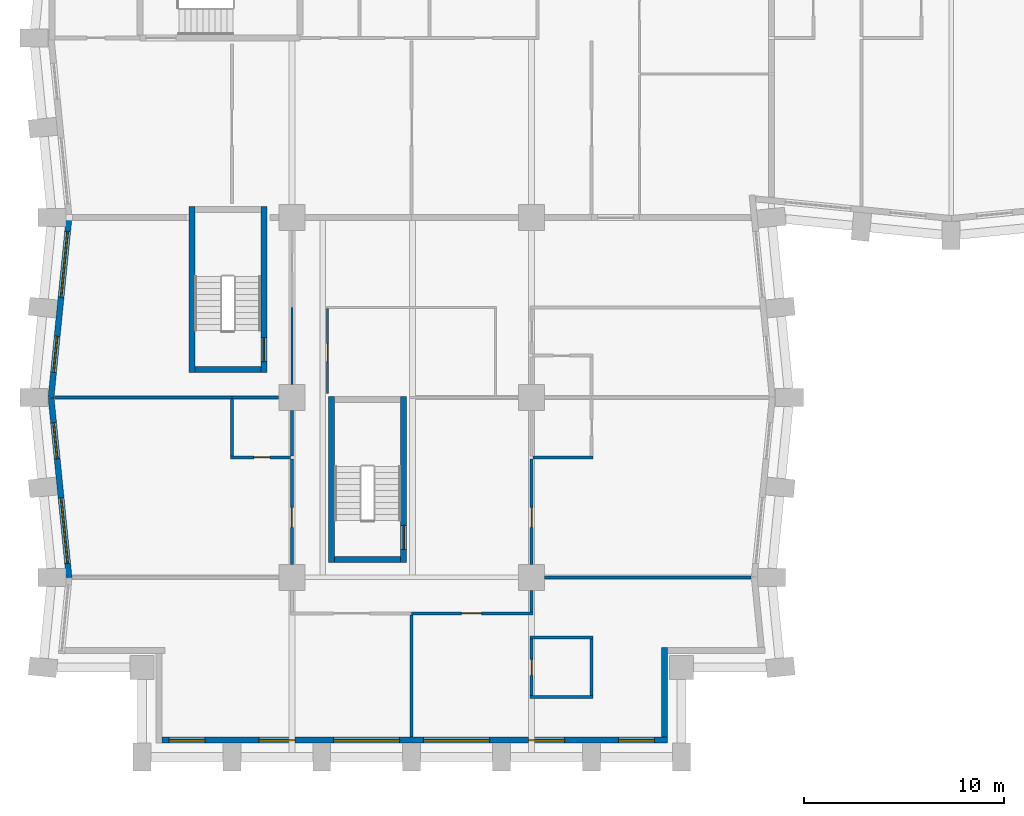
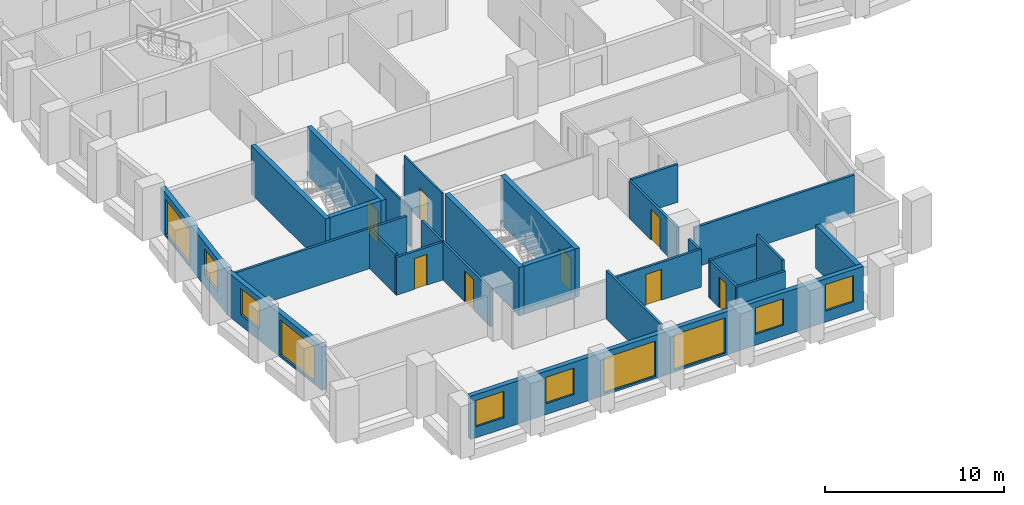
# One storey, part 3 of 12: 28 walls, 10 windows, 8 doors, 18 openings.
"""IFC4 building model written with IfcOpenShell, lengths in metres."""

from ifc_helpers import new_model, si_unit, direction, frame, frame_2d, origin, place, context, subcontext, project, spatial, rectangle, extrude, material, layer, layer_set, type_object, element, fill, save


model = new_model("IFC4")

# Units and contexts
model_context = context("Model", 3, precision=1e-05, world=origin(), true_north=direction((0.0, 1.0)))
body_context = subcontext(model_context, "Body", "Model", "MODEL_VIEW")
ifc_project = project(units=[si_unit("LENGTHUNIT", "METRE"), si_unit("AREAUNIT", "SQUARE_METRE"), si_unit("VOLUMEUNIT", "CUBIC_METRE"), si_unit("PLANEANGLEUNIT", "RADIAN"), si_unit("MASSUNIT", "GRAM", prefix="KILO")], contexts=[model_context])

# Site, building, storey
site_placement = place(None, origin())
site = spatial("IfcSite", under=ifc_project, at=site_placement, CompositionType="ELEMENT")
building_placement = place(site_placement, origin())
building = spatial("IfcBuilding", under=site, at=building_placement, Name="Brondeck Convention Tower", CompositionType="ELEMENT")
storey_placement = place(building_placement, frame((0.0, 0.0, 55.5)))
storey = spatial("IfcBuildingStorey", under=building, at=storey_placement, Name="L11", CompositionType="ELEMENT", Elevation=55.5)

# Wall, openings, windows
ifc_material_1 = material(Name="Precast concrete C50/60 bronze finish", Category="concrete")
ifc_layer_1 = layer(ifc_material_1, 0.070068359375, Name="Bronze precast facing")
ifc_material_2 = material(Name="Mineral wool")
ifc_layer_2 = layer(ifc_material_2, 0.159912109375, Name="Insulation")
ifc_material_3 = material(Name="Concrete C35/45", Category="concrete")
ifc_layer_3 = layer(ifc_material_3, 0.070068359375, Name="Backing")
ifc_layer_set_1 = layer_set([ifc_layer_1, ifc_layer_2, ifc_layer_3], Name="External infill wall, precast concrete C50/60 bronze facing")
wall_type_1 = type_object("IfcWallType", Name="External infill wall, precast concrete C50/60 bronze facing", PredefinedType="SOLIDWALL", material=ifc_layer_set_1)
wall_1_placement = place(storey_placement, frame((30.800048828125, 0.85009765625, 0.0), z_axis=(0.0, 0.0, 1.0), x_axis=(-1.0, 0.0, 0.0)))
wall_1 = element("IfcWall", 1, at=wall_1_placement, inside=storey, type_object=wall_type_1, Name="ENV-EW-L11-P0-B-S0-01", PredefinedType="SOLIDWALL", context=body_context, shape_type="SweptSolid", body=[
    extrude(rectangle(XDim=25.300048828125, YDim=0.300048828125, at=frame_2d((12.64990234375, 0.0))), origin(), (0.0, 0.0, 1.0), 2.949951171875),
])
opening_1_placement = place(wall_1_placement, frame((0.64990234375, 0.0, 0.75)))
opening_1 = element("IfcOpeningElement", 2, at=opening_1_placement, cuts=wall_1, Name="Opening W10", PredefinedType="OPENING", context=body_context, shape_type="SweptSolid", body=[
    extrude(rectangle(XDim=1.800048828125, YDim=1.800048828125, at=frame_2d((0.89990234375, 0.89990234375))), frame((0.0, 0.159912109375, 0.0), z_axis=(0.0, -1.0, 0.0), x_axis=(1.0, 0.0, 0.0)), (0.0, 0.0, 1.0), 0.320068359375),
])
opening_2_placement = place(wall_1_placement, frame((5.14990234375, 0.0, 0.75)))
opening_2 = element("IfcOpeningElement", 3, at=opening_2_placement, cuts=wall_1, Name="Opening W10", PredefinedType="OPENING", context=body_context, shape_type="SweptSolid", body=[
    extrude(rectangle(XDim=1.800048828125, YDim=1.800048828125, at=frame_2d((0.89990234375, 0.89990234375))), frame((0.0, 0.159912109375, 0.0), z_axis=(0.0, -1.0, 0.0), x_axis=(1.0, 0.0, 0.0)), (0.0, 0.0, 1.0), 0.320068359375),
])
opening_3_placement = place(wall_1_placement, frame((8.89990234375, 0.0, 0.14990234375)))
opening_3 = element("IfcOpeningElement", 4, at=opening_3_placement, cuts=wall_1, Name="Opening W9", PredefinedType="OPENING", context=body_context, shape_type="SweptSolid", body=[
    extrude(rectangle(XDim=3.300048828125, YDim=2.39990234375, at=frame_2d((1.64990234375, 1.199951171875))), frame((0.0, 0.159912109375, 0.0), z_axis=(0.0, -1.0, 0.0), x_axis=(1.0, 0.0, 0.0)), (0.0, 0.0, 1.0), 0.320068359375),
])
opening_4_placement = place(wall_1_placement, frame((13.39990234375, 0.0, 0.14990234375)))
opening_4 = element("IfcOpeningElement", 5, at=opening_4_placement, cuts=wall_1, Name="Opening W9", PredefinedType="OPENING", context=body_context, shape_type="SweptSolid", body=[
    extrude(rectangle(XDim=3.300048828125, YDim=2.39990234375, at=frame_2d((1.64990234375, 1.199951171875))), frame((0.0, 0.159912109375, 0.0), z_axis=(0.0, -1.0, 0.0), x_axis=(1.0, 0.0, 0.0)), (0.0, 0.0, 1.0), 0.320068359375),
])
opening_5_placement = place(wall_1_placement, frame((18.64990234375, 0.0, 0.75)))
opening_5 = element("IfcOpeningElement", 6, at=opening_5_placement, cuts=wall_1, Name="Opening W10", PredefinedType="OPENING", context=body_context, shape_type="SweptSolid", body=[
    extrude(rectangle(XDim=1.800048828125, YDim=1.800048828125, at=frame_2d((0.89990234375, 0.89990234375))), frame((0.0, 0.159912109375, 0.0), z_axis=(0.0, -1.0, 0.0), x_axis=(1.0, 0.0, 0.0)), (0.0, 0.0, 1.0), 0.320068359375),
])
opening_6_placement = place(wall_1_placement, frame((23.14990234375, 0.0, 0.75)))
opening_6 = element("IfcOpeningElement", 7, at=opening_6_placement, cuts=wall_1, Name="Opening W10", PredefinedType="OPENING", context=body_context, shape_type="SweptSolid", body=[
    extrude(rectangle(XDim=1.800048828125, YDim=1.800048828125, at=frame_2d((0.89990234375, 0.89990234375))), frame((0.0, 0.159912109375, 0.0), z_axis=(0.0, -1.0, 0.0), x_axis=(1.0, 0.0, 0.0)), (0.0, 0.0, 1.0), 0.320068359375),
])
ifc_material_4 = material(Name="Bronze tinted double glazing", Category="glass")
window_type_1 = type_object("IfcWindowType", Name="Glazed flute window, bronze tinted", PartitioningType="SINGLE_PANEL", PredefinedType="WINDOW", material=ifc_material_4)
window_1_placement = place(opening_3_placement, origin())
window_1 = element("IfcWindow", 8, at=window_1_placement, inside=storey, type_object=window_type_1, Name="ENV-WN-L11-P0-B-S0-04", OverallHeight=2.39990234375, OverallWidth=3.300048828125, PartitioningType="SINGLE_PANEL", PredefinedType="WINDOW", context=body_context, shape_type="SweptSolid", body=[
    extrude(rectangle(XDim=3.300048828125, YDim=2.39990234375, at=frame_2d((1.64990234375, 1.199951171875))), frame((0.0, 0.030029296875, 0.0), z_axis=(0.0, -1.0, 0.0), x_axis=(1.0, 0.0, 0.0)), (0.0, 0.0, 1.0), 0.06005859375),
])
fill(opening_3, window_1)
window_2_placement = place(opening_4_placement, origin())
window_2 = element("IfcWindow", 9, at=window_2_placement, inside=storey, type_object=window_type_1, Name="ENV-WN-L11-P0-B-S0-03", OverallHeight=2.39990234375, OverallWidth=3.300048828125, PartitioningType="SINGLE_PANEL", PredefinedType="WINDOW", context=body_context, shape_type="SweptSolid", body=[
    extrude(rectangle(XDim=3.300048828125, YDim=2.39990234375, at=frame_2d((1.64990234375, 1.199951171875))), frame((0.0, 0.030029296875, 0.0), z_axis=(0.0, -1.0, 0.0), x_axis=(1.0, 0.0, 0.0)), (0.0, 0.0, 1.0), 0.06005859375),
])
fill(opening_4, window_2)
window_type_2 = type_object("IfcWindowType", Name="Punched window, bronze tinted", PartitioningType="SINGLE_PANEL", PredefinedType="WINDOW", material=ifc_material_4)
window_3_placement = place(opening_1_placement, origin())
window_3 = element("IfcWindow", 10, at=window_3_placement, inside=storey, type_object=window_type_2, Name="ENV-WN-L11-P0-B-S0-06", OverallHeight=1.800048828125, OverallWidth=1.800048828125, PartitioningType="SINGLE_PANEL", PredefinedType="WINDOW", context=body_context, shape_type="SweptSolid", body=[
    extrude(rectangle(XDim=1.800048828125, YDim=1.800048828125, at=frame_2d((0.89990234375, 0.89990234375))), frame((0.0, 0.030029296875, 0.0), z_axis=(0.0, -1.0, 0.0), x_axis=(1.0, 0.0, 0.0)), (0.0, 0.0, 1.0), 0.06005859375),
])
fill(opening_1, window_3)
window_4_placement = place(opening_2_placement, origin())
window_4 = element("IfcWindow", 11, at=window_4_placement, inside=storey, type_object=window_type_2, Name="ENV-WN-L11-P0-B-S0-05", OverallHeight=1.800048828125, OverallWidth=1.800048828125, PartitioningType="SINGLE_PANEL", PredefinedType="WINDOW", context=body_context, shape_type="SweptSolid", body=[
    extrude(rectangle(XDim=1.800048828125, YDim=1.800048828125, at=frame_2d((0.89990234375, 0.89990234375))), frame((0.0, 0.030029296875, 0.0), z_axis=(0.0, -1.0, 0.0), x_axis=(1.0, 0.0, 0.0)), (0.0, 0.0, 1.0), 0.06005859375),
])
fill(opening_2, window_4)
window_5_placement = place(opening_5_placement, origin())
window_5 = element("IfcWindow", 12, at=window_5_placement, inside=storey, type_object=window_type_2, Name="ENV-WN-L11-P0-B-S0-02", OverallHeight=1.800048828125, OverallWidth=1.800048828125, PartitioningType="SINGLE_PANEL", PredefinedType="WINDOW", context=body_context, shape_type="SweptSolid", body=[
    extrude(rectangle(XDim=1.800048828125, YDim=1.800048828125, at=frame_2d((0.89990234375, 0.89990234375))), frame((0.0, 0.030029296875, 0.0), z_axis=(0.0, -1.0, 0.0), x_axis=(1.0, 0.0, 0.0)), (0.0, 0.0, 1.0), 0.06005859375),
])
fill(opening_5, window_5)
window_6_placement = place(opening_6_placement, origin())
window_6 = element("IfcWindow", 13, at=window_6_placement, inside=storey, type_object=window_type_2, Name="ENV-WN-L11-P0-B-S0-01", OverallHeight=1.800048828125, OverallWidth=1.800048828125, PartitioningType="SINGLE_PANEL", PredefinedType="WINDOW", context=body_context, shape_type="SweptSolid", body=[
    extrude(rectangle(XDim=1.800048828125, YDim=1.800048828125, at=frame_2d((0.89990234375, 0.89990234375))), frame((0.0, 0.030029296875, 0.0), z_axis=(0.0, -1.0, 0.0), x_axis=(1.0, 0.0, 0.0)), (0.0, 0.0, 1.0), 0.06005859375),
])
fill(opening_6, window_6)

# Wall
wall_2_placement = place(storey_placement, frame((30.64990234375, 5.5, 0.0), z_axis=(0.0, 0.0, 1.0), x_axis=(0.0, -1.0, 0.0)))
element("IfcWall", 14, at=wall_2_placement, inside=storey, type_object=wall_type_1, Name="ENV-EW-L11-P0-NC-SEB0-01", PredefinedType="SOLIDWALL", context=body_context, shape_type="SweptSolid", body=[
    extrude(rectangle(XDim=4.501953125, YDim=0.300048828125, at=frame_2d((2.2509765625, 0.0))), origin(), (0.0, 0.0, 1.0), 2.949951171875),
])

# Wall, openings, windows
wall_3_placement = place(storey_placement, frame((-0.04736328125, 17.985107421875, 0.0), z_axis=(0.0, 0.0, 1.0), x_axis=(0.099522457379, 0.995035316196, 0.0)))
wall_3 = element("IfcWall", 15, at=wall_3_placement, inside=storey, type_object=wall_type_1, Name="ENV-EW-L11-P0-B-W-08", PredefinedType="SOLIDWALL", context=body_context, shape_type="SweptSolid", body=[
    extrude(rectangle(XDim=9.030029296875, YDim=0.300048828125, at=frame_2d((4.51513671875, 0.0))), origin(), (0.0, 0.0, 1.0), 2.949951171875),
])
opening_7_placement = place(wall_3_placement, frame((1.291259765625, 0.0, 0.75)))
opening_7 = element("IfcOpeningElement", 16, at=opening_7_placement, cuts=wall_3, Name="Opening W10", PredefinedType="OPENING", context=body_context, shape_type="SweptSolid", body=[
    extrude(rectangle(XDim=1.800048828125, YDim=1.800048828125, at=frame_2d((0.89990234375, 0.89990234375))), frame((0.0, 0.159912109375, 0.0), z_axis=(0.0, -1.0, 0.0), x_axis=(1.0, 0.0, 0.0)), (0.0, 0.0, 1.0), 0.320068359375),
])
opening_8_placement = place(wall_3_placement, frame((5.063720703125, 0.0, 0.14990234375)))
opening_8 = element("IfcOpeningElement", 17, at=opening_8_placement, cuts=wall_3, Name="Opening W9", PredefinedType="OPENING", context=body_context, shape_type="SweptSolid", body=[
    extrude(rectangle(XDim=3.300048828125, YDim=2.39990234375, at=frame_2d((1.64990234375, 1.199951171875))), frame((0.0, 0.159912109375, 0.0), z_axis=(0.0, -1.0, 0.0), x_axis=(1.0, 0.0, 0.0)), (0.0, 0.0, 1.0), 0.320068359375),
])
window_7_placement = place(opening_8_placement, origin())
window_7 = element("IfcWindow", 18, at=window_7_placement, inside=storey, type_object=window_type_1, Name="ENV-WN-L11-P0-B-W-08", OverallHeight=2.39990234375, OverallWidth=3.300048828125, PartitioningType="SINGLE_PANEL", PredefinedType="WINDOW", context=body_context, shape_type="SweptSolid", body=[
    extrude(rectangle(XDim=3.300048828125, YDim=2.39990234375, at=frame_2d((1.64990234375, 1.199951171875))), frame((0.0, 0.030029296875, 0.0), z_axis=(0.0, -1.0, 0.0), x_axis=(1.0, 0.0, 0.0)), (0.0, 0.0, 1.0), 0.06005859375),
])
fill(opening_8, window_7)
window_8_placement = place(opening_7_placement, origin())
window_8 = element("IfcWindow", 19, at=window_8_placement, inside=storey, type_object=window_type_2, Name="ENV-WN-L11-P0-B-W-09", OverallHeight=1.800048828125, OverallWidth=1.800048828125, PartitioningType="SINGLE_PANEL", PredefinedType="WINDOW", context=body_context, shape_type="SweptSolid", body=[
    extrude(rectangle(XDim=1.800048828125, YDim=1.800048828125, at=frame_2d((0.89990234375, 0.89990234375))), frame((0.0, 0.030029296875, 0.0), z_axis=(0.0, -1.0, 0.0), x_axis=(1.0, 0.0, 0.0)), (0.0, 0.0, 1.0), 0.06005859375),
])
fill(opening_7, window_8)

wall_4_placement = place(storey_placement, frame((0.855712890625, 8.985107421875, 0.0), z_axis=(0.0, 0.0, 1.0), x_axis=(-0.099495688264, 0.995037993253, 0.0)))
wall_4 = element("IfcWall", 20, at=wall_4_placement, inside=storey, type_object=wall_type_1, Name="ENV-EW-L11-P0-B-W-10", PredefinedType="SOLIDWALL", context=body_context, shape_type="SweptSolid", body=[
    extrude(rectangle(XDim=9.030029296875, YDim=0.300048828125, at=frame_2d((4.51513671875, 0.0))), origin(), (0.0, 0.0, 1.0), 2.949951171875),
])
opening_9_placement = place(wall_4_placement, frame((0.711181640625, 0.0, 0.14990234375)))
opening_9 = element("IfcOpeningElement", 21, at=opening_9_placement, cuts=wall_4, Name="Opening W9", PredefinedType="OPENING", context=body_context, shape_type="SweptSolid", body=[
    extrude(rectangle(XDim=3.300048828125, YDim=2.39990234375, at=frame_2d((1.64990234375, 1.199951171875))), frame((0.0, 0.159912109375, 0.0), z_axis=(0.0, -1.0, 0.0), x_axis=(1.0, 0.0, 0.0)), (0.0, 0.0, 1.0), 0.320068359375),
])
opening_10_placement = place(wall_4_placement, frame((5.983642578125, 0.0, 0.75)))
opening_10 = element("IfcOpeningElement", 22, at=opening_10_placement, cuts=wall_4, Name="Opening W10", PredefinedType="OPENING", context=body_context, shape_type="SweptSolid", body=[
    extrude(rectangle(XDim=1.800048828125, YDim=1.800048828125, at=frame_2d((0.89990234375, 0.89990234375))), frame((0.0, 0.159912109375, 0.0), z_axis=(0.0, -1.0, 0.0), x_axis=(1.0, 0.0, 0.0)), (0.0, 0.0, 1.0), 0.320068359375),
])
window_9_placement = place(opening_9_placement, origin())
window_9 = element("IfcWindow", 23, at=window_9_placement, inside=storey, type_object=window_type_1, Name="ENV-WN-L11-P0-B-W-11", OverallHeight=2.39990234375, OverallWidth=3.300048828125, PartitioningType="SINGLE_PANEL", PredefinedType="WINDOW", context=body_context, shape_type="SweptSolid", body=[
    extrude(rectangle(XDim=3.300048828125, YDim=2.39990234375, at=frame_2d((1.64990234375, 1.199951171875))), frame((0.0, 0.030029296875, 0.0), z_axis=(0.0, -1.0, 0.0), x_axis=(1.0, 0.0, 0.0)), (0.0, 0.0, 1.0), 0.06005859375),
])
fill(opening_9, window_9)
window_10_placement = place(opening_10_placement, origin())
window_10 = element("IfcWindow", 24, at=window_10_placement, inside=storey, type_object=window_type_2, Name="ENV-WN-L11-P0-B-W-10", OverallHeight=1.800048828125, OverallWidth=1.800048828125, PartitioningType="SINGLE_PANEL", PredefinedType="WINDOW", context=body_context, shape_type="SweptSolid", body=[
    extrude(rectangle(XDim=1.800048828125, YDim=1.800048828125, at=frame_2d((0.89990234375, 0.89990234375))), frame((0.0, 0.030029296875, 0.0), z_axis=(0.0, -1.0, 0.0), x_axis=(1.0, 0.0, 0.0)), (0.0, 0.0, 1.0), 0.06005859375),
])
fill(opening_10, window_10)

# Walls
ifc_material_5 = material(Name="Double gypsum board acoustic wall")
ifc_layer_4 = layer(ifc_material_5, 0.14990234375)
ifc_layer_set_2 = layer_set([ifc_layer_4], Name="Guest room party wall 150")
wall_type_2 = type_object("IfcWallType", Name="Guest room party wall 150", PredefinedType="PARTITIONING", material=ifc_layer_set_2)
wall_5_placement = place(storey_placement, frame((23.925048828125, 3.0, 0.0), z_axis=(0.0, 0.0, 1.0), x_axis=(1.0, 0.0, 0.0)))
element("IfcWall", 25, at=wall_5_placement, inside=storey, type_object=wall_type_2, Name="FLR-L11-W001", PredefinedType="PARTITIONING", context=body_context, shape_type="SweptSolid", body=[
    extrude(rectangle(XDim=3.14990234375, YDim=0.14990234375, at=frame_2d((1.574951171875, 0.0))), origin(), (0.0, 0.0, 1.0), 2.580078125),
])
wall_6_placement = place(storey_placement, frame((27.0, 3.074951171875, 0.0), z_axis=(0.0, 0.0, 1.0), x_axis=(0.0, 1.0, 0.0)))
element("IfcWall", 26, at=wall_6_placement, inside=storey, type_object=wall_type_2, Name="FLR-L11-W002", PredefinedType="PARTITIONING", context=body_context, shape_type="SweptSolid", body=[
    extrude(rectangle(XDim=2.85009765625, YDim=0.14990234375, at=frame_2d((1.425048828125, 0.0))), origin(), (0.0, 0.0, 1.0), 3.280029296875),
])

# Wall, opening, door
wall_7_placement = place(storey_placement, frame((24.0, 5.925048828125, 0.0), z_axis=(0.0, 0.0, 1.0), x_axis=(0.0, -1.0, 0.0)))
wall_7 = element("IfcWall", 27, at=wall_7_placement, inside=storey, type_object=wall_type_2, Name="FLR-L11-W003", PredefinedType="PARTITIONING", context=body_context, shape_type="SweptSolid", body=[
    extrude(rectangle(XDim=2.85009765625, YDim=0.14990234375, at=frame_2d((1.425048828125, 0.0))), origin(), (0.0, 0.0, 1.0), 2.580078125),
])
opening_11_placement = place(wall_7_placement, frame((1.02490234375, 0.0, 0.0)))
opening_11 = element("IfcOpeningElement", 28, at=opening_11_placement, cuts=wall_7, Name="Opening H2-032", PredefinedType="OPENING", context=body_context, shape_type="SweptSolid", body=[
    extrude(rectangle(XDim=0.800048828125, YDim=2.10009765625, at=frame_2d((0.39990234375, 1.050048828125))), frame((0.0, 0.0849609375, 0.0), z_axis=(0.0, -1.0, 0.0), x_axis=(1.0, 0.0, 0.0)), (0.0, 0.0, 1.0), 0.169921875),
])
ifc_material_6 = material(Name="Solid timber door leaf", Category="wood")
door_type_1 = type_object("IfcDoorType", Name="En-suite door 800", OperationType="NOTDEFINED", PredefinedType="DOOR", material=ifc_material_6)
door_1_placement = place(opening_11_placement, origin())
door_1 = element("IfcDoor", 29, at=door_1_placement, inside=storey, type_object=door_type_1, Name="Door H2-032", OperationType="SINGLE_SWING_RIGHT", OverallHeight=2.10009765625, OverallWidth=0.800048828125, PredefinedType="DOOR", context=body_context, shape_type="SweptSolid", body=[
    extrude(rectangle(XDim=0.800048828125, YDim=2.10009765625, at=frame_2d((0.39990234375, 1.050048828125))), frame((0.0, 0.02490234375, 0.0), z_axis=(0.0, -1.0, 0.0), x_axis=(1.0, 0.0, 0.0)), (0.0, 0.0, 1.0), 0.050048828125),
])
fill(opening_11, door_1)

# Walls
wall_8_placement = place(storey_placement, frame((27.074951171875, 6.0, 0.0), z_axis=(0.0, 0.0, 1.0), x_axis=(-1.0, 0.0, 0.0)))
element("IfcWall", 30, at=wall_8_placement, inside=storey, type_object=wall_type_2, Name="FLR-L11-W004", PredefinedType="PARTITIONING", context=body_context, shape_type="SweptSolid", body=[
    extrude(rectangle(XDim=3.14990234375, YDim=0.14990234375, at=frame_2d((1.574951171875, 0.0))), origin(), (0.0, 0.0, 1.0), 2.580078125),
])
wall_9_placement = place(storey_placement, frame((18.0, 7.125, 0.0), z_axis=(0.0, 0.0, 1.0), x_axis=(0.0, -1.0, 0.0)))
element("IfcWall", 31, at=wall_9_placement, inside=storey, type_object=wall_type_2, Name="FLR-L11-W005", PredefinedType="PARTITIONING", context=body_context, shape_type="SweptSolid", body=[
    extrude(rectangle(XDim=6.10498046875, YDim=0.14990234375, at=frame_2d((3.052490234375, 0.0))), origin(), (0.0, 0.0, 1.0), 3.280029296875),
])

# Wall, opening, door
wall_10_placement = place(storey_placement, frame((24.074951171875, 7.199951171875, 0.0), z_axis=(0.0, 0.0, 1.0), x_axis=(-1.0, 0.0, 0.0)))
wall_10 = element("IfcWall", 32, at=wall_10_placement, inside=storey, type_object=wall_type_2, Name="FLR-L11-W007", PredefinedType="PARTITIONING", context=body_context, shape_type="SweptSolid", body=[
    extrude(rectangle(XDim=6.074951171875, YDim=0.14990234375, at=frame_2d((3.03759765625, 0.0))), origin(), (0.0, 0.0, 1.0), 2.580078125),
])
opening_12_placement = place(wall_10_placement, frame((2.574951171875, 0.0, 0.0)))
opening_12 = element("IfcOpeningElement", 33, at=opening_12_placement, cuts=wall_10, Name="Opening H2-031", PredefinedType="OPENING", context=body_context, shape_type="SweptSolid", body=[
    extrude(rectangle(XDim=1.0, YDim=2.10009765625, at=frame_2d((0.5, 1.050048828125))), frame((0.0, 0.0849609375, 0.0), z_axis=(0.0, -1.0, 0.0), x_axis=(1.0, 0.0, 0.0)), (0.0, 0.0, 1.0), 0.169921875),
])
ifc_material_7 = material(Name="Solid timber fire door leaf", Category="wood")
door_type_2 = type_object("IfcDoorType", Name="Guest room door 1000", OperationType="NOTDEFINED", PredefinedType="DOOR", material=ifc_material_7)
door_2_placement = place(opening_12_placement, origin())
door_2 = element("IfcDoor", 34, at=door_2_placement, inside=storey, type_object=door_type_2, Name="Door H2-031", OperationType="SINGLE_SWING_LEFT", OverallHeight=2.10009765625, OverallWidth=1.0, PredefinedType="DOOR", context=body_context, shape_type="SweptSolid", body=[
    extrude(rectangle(XDim=1.0, YDim=2.10009765625, at=frame_2d((0.5, 1.050048828125))), frame((0.0, 0.02490234375, 0.0), z_axis=(0.0, -1.0, 0.0), x_axis=(1.0, 0.0, 0.0)), (0.0, 0.0, 1.0), 0.050048828125),
])
fill(opening_12, door_2)

# Walls
wall_11_placement = place(storey_placement, frame((24.0, 8.344970703125, 0.0), z_axis=(0.0, 0.0, 1.0), x_axis=(0.0, -1.0, 0.0)))
element("IfcWall", 35, at=wall_11_placement, inside=storey, type_object=wall_type_2, Name="FLR-L11-W009", PredefinedType="PARTITIONING", context=body_context, shape_type="SweptSolid", body=[
    extrude(rectangle(XDim=1.070068359375, YDim=0.14990234375, at=frame_2d((0.53515625, 0.0))), origin(), (0.0, 0.0, 1.0), 2.580078125),
])
wall_12_placement = place(storey_placement, frame((34.97509765625, 9.0, 0.0), z_axis=(0.0, 0.0, 1.0), x_axis=(-1.0, 0.0, 0.0)))
element("IfcWall", 36, at=wall_12_placement, inside=storey, type_object=wall_type_2, Name="FLR-L11-W011", PredefinedType="PARTITIONING", context=body_context, shape_type="SweptSolid", body=[
    extrude(rectangle(XDim=10.320068359375, YDim=0.14990234375, at=frame_2d((5.16015625, 0.0))), origin(), (0.0, 0.0, 1.0), 2.72998046875),
])

# Wall, opening, door
wall_13_placement = place(storey_placement, frame((12.0, 9.655029296875, 0.0), z_axis=(0.0, 0.0, 1.0), x_axis=(0.0, 1.0, 0.0)))
wall_13 = element("IfcWall", 37, at=wall_13_placement, inside=storey, type_object=wall_type_2, Name="FLR-L11-W012", PredefinedType="PARTITIONING", context=body_context, shape_type="SweptSolid", body=[
    extrude(rectangle(XDim=5.27001953125, YDim=0.14990234375, at=frame_2d((2.635009765625, 0.0))), origin(), (0.0, 0.0, 1.0), 2.580078125),
])
opening_13_placement = place(wall_13_placement, frame((1.844970703125, 0.0, 0.0)))
opening_13 = element("IfcOpeningElement", 38, at=opening_13_placement, cuts=wall_13, Name="Opening H2-023", PredefinedType="OPENING", context=body_context, shape_type="SweptSolid", body=[
    extrude(rectangle(XDim=1.0, YDim=2.10009765625, at=frame_2d((0.5, 1.050048828125))), frame((0.0, 0.0849609375, 0.0), z_axis=(0.0, -1.0, 0.0), x_axis=(1.0, 0.0, 0.0)), (0.0, 0.0, 1.0), 0.169921875),
])
door_3_placement = place(opening_13_placement, origin())
door_3 = element("IfcDoor", 39, at=door_3_placement, inside=storey, type_object=door_type_2, Name="Door H2-023", OperationType="SINGLE_SWING_RIGHT", OverallHeight=2.10009765625, OverallWidth=1.0, PredefinedType="DOOR", context=body_context, shape_type="SweptSolid", body=[
    extrude(rectangle(XDim=1.0, YDim=2.10009765625, at=frame_2d((0.5, 1.050048828125))), frame((0.0, 0.02490234375, 0.0), z_axis=(0.0, -1.0, 0.0), x_axis=(1.0, 0.0, 0.0)), (0.0, 0.0, 1.0), 0.050048828125),
])
fill(opening_13, door_3)

wall_14_placement = place(storey_placement, frame((24.0, 14.925048828125, 0.0), z_axis=(0.0, 0.0, 1.0), x_axis=(0.0, -1.0, 0.0)))
wall_14 = element("IfcWall", 40, at=wall_14_placement, inside=storey, type_object=wall_type_2, Name="FLR-L11-W013", PredefinedType="PARTITIONING", context=body_context, shape_type="SweptSolid", body=[
    extrude(rectangle(XDim=5.27001953125, YDim=0.14990234375, at=frame_2d((2.635009765625, 0.0))), origin(), (0.0, 0.0, 1.0), 2.580078125),
])
opening_14_placement = place(wall_14_placement, frame((2.425048828125, 0.0, 0.0)))
opening_14 = element("IfcOpeningElement", 41, at=opening_14_placement, cuts=wall_14, Name="Opening H2-027", PredefinedType="OPENING", context=body_context, shape_type="SweptSolid", body=[
    extrude(rectangle(XDim=1.0, YDim=2.10009765625, at=frame_2d((0.5, 1.050048828125))), frame((0.0, 0.0849609375, 0.0), z_axis=(0.0, -1.0, 0.0), x_axis=(1.0, 0.0, 0.0)), (0.0, 0.0, 1.0), 0.169921875),
])
door_4_placement = place(opening_14_placement, origin())
door_4 = element("IfcDoor", 42, at=door_4_placement, inside=storey, type_object=door_type_2, Name="Door H2-027", OperationType="SINGLE_SWING_RIGHT", OverallHeight=2.10009765625, OverallWidth=1.0, PredefinedType="DOOR", context=body_context, shape_type="SweptSolid", body=[
    extrude(rectangle(XDim=1.0, YDim=2.10009765625, at=frame_2d((0.5, 1.050048828125))), frame((0.0, 0.02490234375, 0.0), z_axis=(0.0, -1.0, 0.0), x_axis=(1.0, 0.0, 0.0)), (0.0, 0.0, 1.0), 0.050048828125),
])
fill(opening_14, door_4)

wall_15_placement = place(storey_placement, frame((8.925048828125, 15.0, 0.0), z_axis=(0.0, 0.0, 1.0), x_axis=(1.0, 0.0, 0.0)))
wall_15 = element("IfcWall", 43, at=wall_15_placement, inside=storey, type_object=wall_type_2, Name="FLR-L11-W014", PredefinedType="PARTITIONING", context=body_context, shape_type="SweptSolid", body=[
    extrude(rectangle(XDim=3.0, YDim=0.14990234375, at=frame_2d((1.5, 0.0))), origin(), (0.0, 0.0, 1.0), 2.580078125),
])
opening_15_placement = place(wall_15_placement, frame((1.175048828125, 0.0, 0.0)))
opening_15 = element("IfcOpeningElement", 44, at=opening_15_placement, cuts=wall_15, Name="Opening H2-024", PredefinedType="OPENING", context=body_context, shape_type="SweptSolid", body=[
    extrude(rectangle(XDim=0.800048828125, YDim=2.10009765625, at=frame_2d((0.39990234375, 1.050048828125))), frame((0.0, 0.0849609375, 0.0), z_axis=(0.0, -1.0, 0.0), x_axis=(1.0, 0.0, 0.0)), (0.0, 0.0, 1.0), 0.169921875),
])
door_5_placement = place(opening_15_placement, origin())
door_5 = element("IfcDoor", 45, at=door_5_placement, inside=storey, type_object=door_type_1, Name="Door H2-024", OperationType="SINGLE_SWING_RIGHT", OverallHeight=2.10009765625, OverallWidth=0.800048828125, PredefinedType="DOOR", context=body_context, shape_type="SweptSolid", body=[
    extrude(rectangle(XDim=0.800048828125, YDim=2.10009765625, at=frame_2d((0.39990234375, 1.050048828125))), frame((0.0, 0.02490234375, 0.0), z_axis=(0.0, -1.0, 0.0), x_axis=(1.0, 0.0, 0.0)), (0.0, 0.0, 1.0), 0.050048828125),
])
fill(opening_15, door_5)

# Walls
wall_16_placement = place(storey_placement, frame((24.074951171875, 15.0, 0.0), z_axis=(0.0, 0.0, 1.0), x_axis=(1.0, 0.0, 0.0)))
element("IfcWall", 46, at=wall_16_placement, inside=storey, type_object=wall_type_2, Name="FLR-L11-W015", PredefinedType="PARTITIONING", context=body_context, shape_type="SweptSolid", body=[
    extrude(rectangle(XDim=3.0, YDim=0.14990234375, at=frame_2d((1.5, 0.0))), origin(), (0.0, 0.0, 1.0), 2.580078125),
])
wall_17_placement = place(storey_placement, frame((12.0, 15.074951171875, 0.0), z_axis=(0.0, 0.0, 1.0), x_axis=(0.0, 1.0, 0.0)))
element("IfcWall", 47, at=wall_17_placement, inside=storey, type_object=wall_type_2, Name="FLR-L11-W016", PredefinedType="PARTITIONING", context=body_context, shape_type="SweptSolid", body=[
    extrude(rectangle(XDim=2.27001953125, YDim=0.14990234375, at=frame_2d((1.135009765625, 0.0))), origin(), (0.0, 0.0, 1.0), 2.580078125),
])
wall_18_placement = place(storey_placement, frame((9.0, 17.925048828125, 0.0), z_axis=(0.0, 0.0, 1.0), x_axis=(0.0, -1.0, 0.0)))
element("IfcWall", 48, at=wall_18_placement, inside=storey, type_object=wall_type_2, Name="FLR-L11-W019", PredefinedType="PARTITIONING", context=body_context, shape_type="SweptSolid", body=[
    extrude(rectangle(XDim=2.85009765625, YDim=0.14990234375, at=frame_2d((1.425048828125, 0.0))), origin(), (0.0, 0.0, 1.0), 2.72998046875),
])
wall_19_placement = place(storey_placement, frame((9.0, 18.0, 0.0), z_axis=(0.0, 0.0, 1.0), x_axis=(-1.0, 0.0, 0.0)))
element("IfcWall", 49, at=wall_19_placement, inside=storey, type_object=wall_type_2, Name="FLR-L11-W020", PredefinedType="PARTITIONING", context=body_context, shape_type="SweptSolid", body=[
    extrude(rectangle(XDim=8.875, YDim=0.14990234375, at=frame_2d((4.4375, 0.0))), origin(), (0.0, 0.0, 1.0), 2.72998046875),
])
wall_20_placement = place(storey_placement, frame((11.344970703125, 18.0, 0.0), z_axis=(0.0, 0.0, 1.0), x_axis=(-1.0, 0.0, 0.0)))
element("IfcWall", 50, at=wall_20_placement, inside=storey, type_object=wall_type_2, Name="FLR-L11-W021", PredefinedType="PARTITIONING", context=body_context, shape_type="SweptSolid", body=[
    extrude(rectangle(XDim=2.344970703125, YDim=0.14990234375, at=frame_2d((1.17236328125, 0.0))), origin(), (0.0, 0.0, 1.0), 2.72998046875),
])

# Wall, opening, door
ifc_material_8 = material(Name="Gypsum board partition on steel studs", Category="steel")
ifc_layer_5 = layer(ifc_material_8, 0.10009765625)
ifc_layer_set_3 = layer_set([ifc_layer_5], Name="Room partition 100")
wall_type_3 = type_object("IfcWallType", Name="Room partition 100", PredefinedType="PARTITIONING", material=ifc_layer_set_3)
wall_21_placement = place(storey_placement, frame((13.800048828125, 22.449951171875, 0.0), z_axis=(0.0, 0.0, 1.0), x_axis=(0.0, -1.0, 0.0)))
wall_21 = element("IfcWall", 51, at=wall_21_placement, inside=storey, type_object=wall_type_3, Name="FLR-L11-W030", PredefinedType="PARTITIONING", context=body_context, shape_type="SweptSolid", body=[
    extrude(rectangle(XDim=4.25, YDim=0.10009765625, at=frame_2d((2.125, 0.0))), origin(), (0.0, 0.0, 1.0), 3.280029296875),
])
opening_16_placement = place(wall_21_placement, frame((1.75, 0.0, 0.0)))
opening_16 = element("IfcOpeningElement", 52, at=opening_16_placement, cuts=wall_21, Name="Opening H2-029", PredefinedType="OPENING", context=body_context, shape_type="SweptSolid", body=[
    extrude(rectangle(XDim=0.89990234375, YDim=2.10009765625, at=frame_2d((0.449951171875, 1.050048828125))), frame((0.0, 0.06005859375, 0.0), z_axis=(0.0, -1.0, 0.0), x_axis=(1.0, 0.0, 0.0)), (0.0, 0.0, 1.0), 0.1201171875),
])
door_type_3 = type_object("IfcDoorType", Name="Single door 900", OperationType="NOTDEFINED", PredefinedType="DOOR", material=ifc_material_6)
door_6_placement = place(opening_16_placement, origin())
door_6 = element("IfcDoor", 53, at=door_6_placement, inside=storey, type_object=door_type_3, Name="Door H2-029", OperationType="SINGLE_SWING_LEFT", OverallHeight=2.10009765625, OverallWidth=0.89990234375, PredefinedType="DOOR", context=body_context, shape_type="SweptSolid", body=[
    extrude(rectangle(XDim=0.89990234375, YDim=2.10009765625, at=frame_2d((0.449951171875, 1.050048828125))), frame((0.0, 0.02490234375, 0.0), z_axis=(0.0, -1.0, 0.0), x_axis=(1.0, 0.0, 0.0)), (0.0, 0.0, 1.0), 0.050048828125),
])
fill(opening_16, door_6)

# Walls
wall_22_placement = place(storey_placement, frame((12.0, 22.5, 0.0), z_axis=(0.0, 0.0, 1.0), x_axis=(0.0, -1.0, 0.0)))
element("IfcWall", 54, at=wall_22_placement, inside=storey, type_object=wall_type_3, Name="FLR-L11-W031", PredefinedType="PARTITIONING", context=body_context, shape_type="SweptSolid", body=[
    extrude(rectangle(XDim=3.844970703125, YDim=0.10009765625, at=frame_2d((1.92236328125, 0.0))), origin(), (0.0, 0.0, 1.0), 2.580078125),
])
ifc_material_9 = material(Name="Concrete C80/95", Category="concrete")
ifc_layer_6 = layer(ifc_material_9, 0.300048828125)
ifc_layer_set_4 = layer_set([ifc_layer_6], Name="Stair enclosure wall 300 Concrete C80/95")
wall_type_4 = type_object("IfcWallType", Name="Stair enclosure wall 300 Concrete C80/95", PredefinedType="SHEAR", material=ifc_layer_set_4)
for number, where, z_axis, x_axis, name in (
    (55, (14.14990234375, 9.89990234375, 0.0), (0.0, 0.0, 1.0), (1.0, 0.0, 0.0), "L11 core wall"),
    (56, (7.14990234375, 19.39990234375, 0.0), (0.0, 0.0, 1.0), (1.0, 0.0, 0.0), "L11 core wall"),
):
    element("IfcWall", number, at=place(storey_placement, frame(where, z_axis=z_axis, x_axis=x_axis)), inside=storey, type_object=wall_type_4, Name=name, PredefinedType="SHEAR", context=body_context, shape_type="SweptSolid", body=[
        extrude(rectangle(XDim=3.300048828125, YDim=0.300048828125, at=frame_2d((1.64990234375, 0.0))), origin(), (0.0, 0.0, 1.0), 3.300048828125),
    ])
wall_23_placement = place(storey_placement, frame((7.0, 19.25, 0.0), z_axis=(0.0, 0.0, 1.0), x_axis=(0.0, 1.0, 0.0)))
element("IfcWall", 57, at=wall_23_placement, inside=storey, type_object=wall_type_4, Name="L11 core wall", PredefinedType="SHEAR", context=body_context, shape_type="SweptSolid", body=[
    extrude(rectangle(XDim=8.300048828125, YDim=0.300048828125, at=frame_2d((4.14990234375, 0.0))), origin(), (0.0, 0.0, 1.0), 3.300048828125),
])

# Wall, opening, door
wall_24_placement = place(storey_placement, frame((10.60009765625, 19.25, 0.0), z_axis=(0.0, 0.0, 1.0), x_axis=(0.0, 1.0, 0.0)))
wall_24 = element("IfcWall", 58, at=wall_24_placement, inside=storey, type_object=wall_type_4, Name="L11 core wall", PredefinedType="SHEAR", context=body_context, shape_type="SweptSolid", body=[
    extrude(rectangle(XDim=8.300048828125, YDim=0.300048828125, at=frame_2d((4.14990234375, 0.0))), origin(), (0.0, 0.0, 1.0), 3.300048828125),
])
opening_17_placement = place(wall_24_placement, frame((0.550048828125, 0.0, 0.0)))
opening_17 = element("IfcOpeningElement", 59, at=opening_17_placement, cuts=wall_24, Name="Opening C09-20", PredefinedType="OPENING", context=body_context, shape_type="SweptSolid", body=[
    extrude(rectangle(XDim=1.199951171875, YDim=2.199951171875, at=frame_2d((0.60009765625, 1.10009765625))), frame((0.0, 0.159912109375, 0.0), z_axis=(0.0, -1.0, 0.0), x_axis=(1.0, 0.0, 0.0)), (0.0, 0.0, 1.0), 0.320068359375),
])
ifc_material_10 = material(Name="Steel fire door", Category="steel")
door_type_4 = type_object("IfcDoorType", Name="Stair door 1200x2200 EI 90", OperationType="NOTDEFINED", PredefinedType="DOOR", material=ifc_material_10)
door_7_placement = place(opening_17_placement, origin())
door_7 = element("IfcDoor", 60, at=door_7_placement, inside=storey, type_object=door_type_4, Name="L11 Stair door ST-BE", OperationType="SINGLE_SWING_RIGHT", OverallHeight=2.199951171875, OverallWidth=1.199951171875, PredefinedType="DOOR", context=body_context, shape_type="SweptSolid", body=[
    extrude(rectangle(XDim=1.199951171875, YDim=2.199951171875, at=frame_2d((0.60009765625, 1.10009765625))), frame((0.0, 0.02490234375, 0.0), z_axis=(0.0, -1.0, 0.0), x_axis=(1.0, 0.0, 0.0)), (0.0, 0.0, 1.0), 0.050048828125),
])
fill(opening_17, door_7)

# Wall
wall_25_placement = place(storey_placement, frame((14.0, 9.75, 0.0), z_axis=(0.0, 0.0, 1.0), x_axis=(0.0, 1.0, 0.0)))
element("IfcWall", 61, at=wall_25_placement, inside=storey, type_object=wall_type_4, Name="L11 core wall", PredefinedType="SHEAR", context=body_context, shape_type="SweptSolid", body=[
    extrude(rectangle(XDim=8.300048828125, YDim=0.300048828125, at=frame_2d((4.14990234375, 0.0))), origin(), (0.0, 0.0, 1.0), 3.300048828125),
])

# Wall, opening, door
wall_26_placement = place(storey_placement, frame((17.60009765625, 9.75, 0.0), z_axis=(0.0, 0.0, 1.0), x_axis=(0.0, 1.0, 0.0)))
wall_26 = element("IfcWall", 62, at=wall_26_placement, inside=storey, type_object=wall_type_4, Name="L11 core wall", PredefinedType="SHEAR", context=body_context, shape_type="SweptSolid", body=[
    extrude(rectangle(XDim=8.300048828125, YDim=0.300048828125, at=frame_2d((4.14990234375, 0.0))), origin(), (0.0, 0.0, 1.0), 3.300048828125),
])
opening_18_placement = place(wall_26_placement, frame((0.64990234375, 0.0, 0.0)))
opening_18 = element("IfcOpeningElement", 63, at=opening_18_placement, cuts=wall_26, Name="Opening C09-21", PredefinedType="OPENING", context=body_context, shape_type="SweptSolid", body=[
    extrude(rectangle(XDim=1.199951171875, YDim=2.199951171875, at=frame_2d((0.60009765625, 1.10009765625))), frame((0.0, 0.159912109375, 0.0), z_axis=(0.0, -1.0, 0.0), x_axis=(1.0, 0.0, 0.0)), (0.0, 0.0, 1.0), 0.320068359375),
])
door_8_placement = place(opening_18_placement, origin())
door_8 = element("IfcDoor", 64, at=door_8_placement, inside=storey, type_object=door_type_4, Name="L11 Stair door ST-BF", OperationType="SINGLE_SWING_LEFT", OverallHeight=2.199951171875, OverallWidth=1.199951171875, PredefinedType="DOOR", context=body_context, shape_type="SweptSolid", body=[
    extrude(rectangle(XDim=1.199951171875, YDim=2.199951171875, at=frame_2d((0.60009765625, 1.10009765625))), frame((0.0, 0.02490234375, 0.0), z_axis=(0.0, -1.0, 0.0), x_axis=(1.0, 0.0, 0.0)), (0.0, 0.0, 1.0), 0.050048828125),
])
fill(opening_18, door_8)

save(model, "model.ifc")
